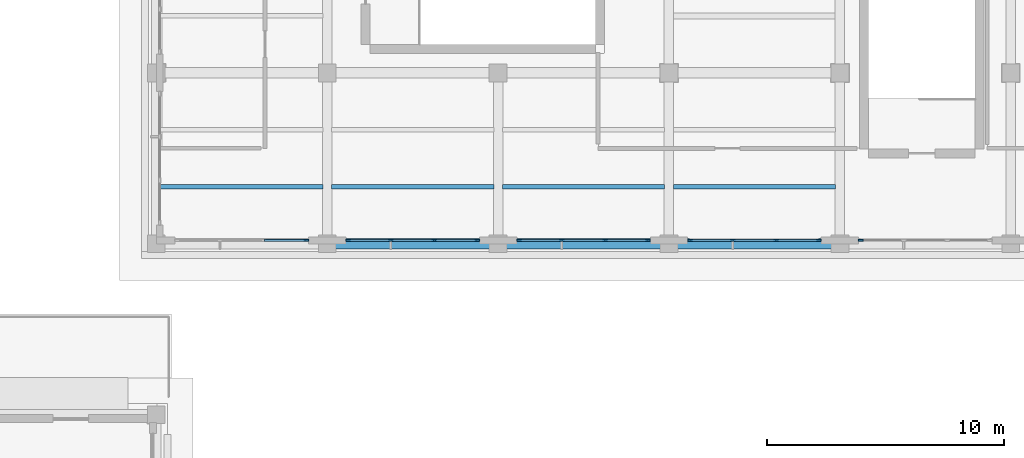
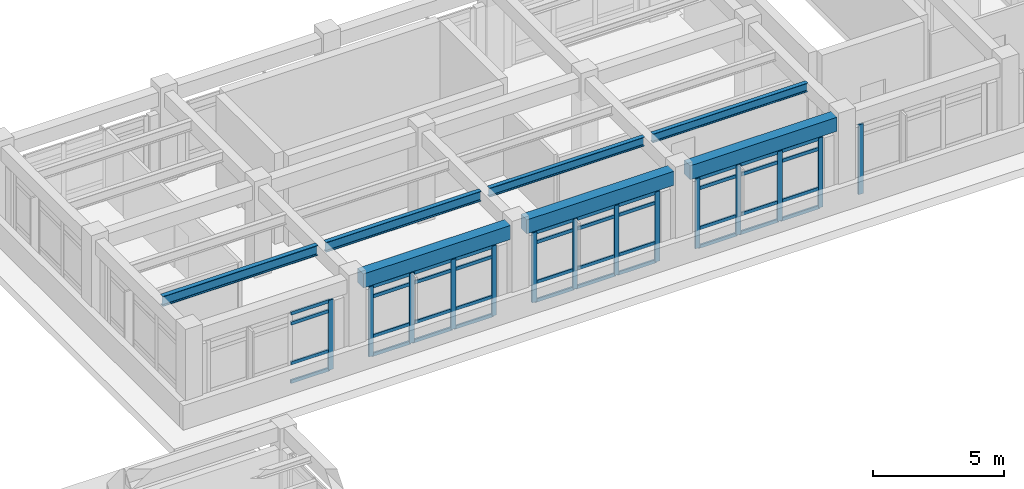
# One storey, part 14 of 64: 54 members, 7 beams, 5 elements without a shape of their own.
"""IFC4 building model written with IfcOpenShell, lengths in metres."""

from ifc_helpers import new_model, si_unit, direction, frame, origin, origin_2d, place, context, subcontext, project, spatial, rectangle, i_section, extrude, material, layer, layer_set, material_profile, profile_set, type_object, element, aggregate, save


model = new_model("IFC4")

# Units and contexts
model_context = context("Model", 3, precision=1e-05, world=origin(), true_north=direction((0.0, 1.0)))
body_context = subcontext(model_context, "Body", "Model", "MODEL_VIEW")
ifc_project = project(units=[si_unit("LENGTHUNIT", "METRE"), si_unit("AREAUNIT", "SQUARE_METRE"), si_unit("VOLUMEUNIT", "CUBIC_METRE"), si_unit("PLANEANGLEUNIT", "RADIAN"), si_unit("MASSUNIT", "GRAM", prefix="KILO")], contexts=[model_context])

# Site, building, storey
site_placement = place(None, origin())
site = spatial("IfcSite", under=ifc_project, at=site_placement, CompositionType="ELEMENT")
building_placement = place(site_placement, origin())
building = spatial("IfcBuilding", under=site, at=building_placement, Name="Solenvale Faculty of Natural Sciences", CompositionType="ELEMENT")
storey_placement = place(building_placement, frame((0.0, 0.0, 18.0)))
storey = spatial("IfcBuildingStorey", under=building, at=storey_placement, Name="L04", CompositionType="ELEMENT", Elevation=18.0)

# Beams
ifc_material_1 = material(Name="Concrete 40 MPa", Category="concrete")
ifc_material_profile_1 = material_profile(ifc_material_1, rectangle(XDim=0.449951171875, YDim=0.64990234375, at=origin_2d()), Name="RC-BM-450x650")
ifc_profile_set_1 = profile_set([ifc_material_profile_1], Name="Concrete 40 MPa")
beam_type_1 = type_object("IfcBeamType", Name="BM-RC-450x650", PredefinedType="BEAM", material=ifc_profile_set_1)
beam_1_placement = place(storey_placement, frame((122.7548828125, 43.199951171875, 3.89501953125), z_axis=(1.0, 0.0, 0.0), x_axis=(0.0, 1.0, 0.0)))
element("IfcBeam", 1, at=beam_1_placement, inside=storey, type_object=beam_type_1, Name="L04 X-Girder Y43.2 (122.4..129.6)", PredefinedType="BEAM", context=body_context, shape_type="SweptSolid", body=[
    extrude(rectangle(XDim=0.449951171875, YDim=0.64990234375, at=origin_2d()), origin(), (0.0, 0.0, 1.0), 6.490234375),
])
for number, where, z_axis, x_axis, name in (
    (2, (129.955078125, 43.199951171875, 3.89501953125), (1.0, 0.0, 0.0), (0.0, 1.0, 0.0), "L04 X-Girder Y43.2 (129.6..136.8)"),
    (3, (137.155029296875, 43.199951171875, 3.89501953125), (1.0, 0.0, 0.0), (0.0, 1.0, 0.0), "L04 X-Girder Y43.2 (136.8..144.0)"),
):
    element("IfcBeam", number, at=place(storey_placement, frame(where, z_axis=z_axis, x_axis=x_axis)), inside=storey, type_object=beam_type_1, Name=name, PredefinedType="BEAM", context=body_context, shape_type="SweptSolid", body=[
        extrude(rectangle(XDim=0.449951171875, YDim=0.64990234375, at=origin_2d()), origin(), (0.0, 0.0, 1.0), 6.489990234375),
    ])
ifc_material_2 = material(Name="Steel S355", Category="steel")
ifc_material_profile_2 = material_profile(ifc_material_2, i_section(OverallWidth=0.178955078125, OverallDepth=0.409912109375, WebThickness=0.0087890625, FlangeThickness=0.014404296875, FilletRadius=0.01611328125, at=origin_2d()), Name="W410x67")
ifc_profile_set_2 = profile_set([ifc_material_profile_2], Name="Steel S355")
beam_type_2 = type_object("IfcBeamType", Name="BM-STL-W410x67", PredefinedType="JOIST", material=ifc_profile_set_2)
beam_2_placement = place(storey_placement, frame((136.97998046875, 45.60009765625, 4.014892578125), z_axis=(1.0, 0.0, 0.0), x_axis=(0.0, 1.0, 0.0)))
element("IfcBeam", 4, at=beam_2_placement, inside=storey, type_object=beam_type_2, Name="L04 Composite Floor Joist (20,7).1", PredefinedType="JOIST", context=body_context, shape_type="SweptSolid", body=[
    extrude(i_section(OverallWidth=0.178955078125, OverallDepth=0.409912109375, WebThickness=0.0087890625, FlangeThickness=0.014404296875, FilletRadius=0.01611328125, at=origin_2d()), origin(), (0.0, 0.0, 1.0), 6.840087890625),
])
ifc_material_profile_3 = material_profile(ifc_material_2, i_section(OverallWidth=0.180908203125, OverallDepth=0.4169921875, WebThickness=0.010986328125, FlangeThickness=0.018310546875, FilletRadius=0.01611328125, at=origin_2d()), Name="W410x85")
ifc_profile_set_3 = profile_set([ifc_material_profile_3], Name="Steel S355")
beam_type_3 = type_object("IfcBeamType", Name="BM-STL-W410x85", PredefinedType="JOIST", material=ifc_profile_set_3)
beam_3_placement = place(storey_placement, frame((129.780029296875, 45.60009765625, 4.011474609375), z_axis=(1.0, 0.0, 0.0), x_axis=(0.0, 1.0, 0.0)))
element("IfcBeam", 5, at=beam_3_placement, inside=storey, type_object=beam_type_3, Name="L04 Composite Floor Joist (19,7).1", PredefinedType="JOIST", context=body_context, shape_type="SweptSolid", body=[
    extrude(i_section(OverallWidth=0.180908203125, OverallDepth=0.4169921875, WebThickness=0.010986328125, FlangeThickness=0.018310546875, FilletRadius=0.01611328125, at=origin_2d()), origin(), (0.0, 0.0, 1.0), 6.840087890625),
])
ifc_material_profile_4 = material_profile(ifc_material_2, i_section(OverallWidth=0.194091796875, OverallDepth=0.468994140625, WebThickness=0.0126953125, FlangeThickness=0.0205078125, FilletRadius=0.01806640625, at=origin_2d()), Name="W460x106")
ifc_profile_set_4 = profile_set([ifc_material_profile_4], Name="Steel S355")
beam_type_4 = type_object("IfcBeamType", Name="BM-STL-W460x106", PredefinedType="JOIST", material=ifc_profile_set_4)
beam_4_placement = place(storey_placement, frame((115.3798828125, 45.60009765625, 3.985595703125), z_axis=(1.0, 0.0, 0.0), x_axis=(0.0, 1.0, 0.0)))
element("IfcBeam", 6, at=beam_4_placement, inside=storey, type_object=beam_type_4, Name="L04 Composite Floor Joist (17,7).1", PredefinedType="JOIST", context=body_context, shape_type="SweptSolid", body=[
    extrude(i_section(OverallWidth=0.194091796875, OverallDepth=0.468994140625, WebThickness=0.0126953125, FlangeThickness=0.0205078125, FilletRadius=0.01806640625, at=origin_2d()), origin(), (0.0, 0.0, 1.0), 6.840087890625),
])
ifc_material_profile_5 = material_profile(ifc_material_2, i_section(OverallWidth=0.19091796875, OverallDepth=0.4599609375, WebThickness=0.010009765625, FlangeThickness=0.01611328125, FilletRadius=0.01806640625, at=origin_2d()), Name="W460x82")
ifc_profile_set_5 = profile_set([ifc_material_profile_5], Name="Steel S355")
beam_type_5 = type_object("IfcBeamType", Name="BM-STL-W460x82", PredefinedType="JOIST", material=ifc_profile_set_5)
beam_5_placement = place(storey_placement, frame((122.580078125, 45.60009765625, 3.989990234375), z_axis=(1.0, 0.0, 0.0), x_axis=(0.0, 1.0, 0.0)))
element("IfcBeam", 7, at=beam_5_placement, inside=storey, type_object=beam_type_5, Name="L04 Composite Floor Joist (18,7).1", PredefinedType="JOIST", context=body_context, shape_type="SweptSolid", body=[
    extrude(i_section(OverallWidth=0.19091796875, OverallDepth=0.4599609375, WebThickness=0.010009765625, FlangeThickness=0.01611328125, FilletRadius=0.01806640625, at=origin_2d()), origin(), (0.0, 0.0, 1.0), 6.83984375),
])

# Curtain wall, member
ifc_material_3 = material(Name="Anodised bronze aluminium", Category="aluminium")
ifc_layer = layer(ifc_material_3, 0.199951171875)
ifc_layer_set = layer_set([ifc_layer], Name="Anodised bronze aluminium")
curtain_wall_type = type_object("IfcCurtainWallType", Name="CW-COM-FIN", PredefinedType="USERDEFINED", material=ifc_layer_set)
curtain_wall_1_placement = place(storey_placement, origin())
curtain_wall_1 = element("IfcCurtainWall", 8, at=curtain_wall_1_placement, inside=storey, type_object=curtain_wall_type, Name="L04 Curtain Wall CW-L04-P2-E1-B1", ObjectType="UNITISED CURTAIN WALL", PredefinedType="USERDEFINED")
ifc_material_profile_6 = material_profile(ifc_material_3, rectangle(XDim=0.074951171875, YDim=0.2099609375, at=origin_2d()), Name="ALU-MUL-75x210")
ifc_profile_set_6 = profile_set([ifc_material_profile_6], Name="Anodised bronze aluminium")
member_type_1 = type_object("IfcMemberType", Name="CWM-ALU-75x210", PredefinedType="MULLION", material=ifc_profile_set_6)
member_1_placement = place(storey_placement, frame((121.512451171875, 43.342529296875, 0.0), z_axis=(0.0, 0.0, 1.0), x_axis=(0.0, 1.0, 0.0)))
member_1 = element("IfcMember", 9, at=member_1_placement, type_object=member_type_1, Name="CW-03 mullion 4", PredefinedType="MULLION", context=body_context, shape_type="SweptSolid", body=[
    extrude(rectangle(XDim=0.074951171875, YDim=0.2099609375, at=origin_2d()), origin(), (0.0, 0.0, 1.0), 3.260009765625),
])

# Curtain wall, members
curtain_wall_2_placement = place(storey_placement, origin())
curtain_wall_2 = element("IfcCurtainWall", 10, at=curtain_wall_2_placement, inside=storey, type_object=curtain_wall_type, Name="L04 Curtain Wall CW-L04-P2-E1-B2", ObjectType="UNITISED CURTAIN WALL", PredefinedType="USERDEFINED")
member_2_placement = place(storey_placement, frame((123.28759765625, 43.342529296875, 0.0), z_axis=(0.0, 0.0, 1.0), x_axis=(0.0, 1.0, 0.0)))
member_2 = element("IfcMember", 11, at=member_2_placement, type_object=member_type_1, Name="CW-03 mullion 1", PredefinedType="MULLION", context=body_context, shape_type="SweptSolid", body=[
    extrude(rectangle(XDim=0.074951171875, YDim=0.2099609375, at=origin_2d()), origin(), (0.0, 0.0, 1.0), 3.260009765625),
])
member_3_placement = place(storey_placement, frame((125.083251953125, 43.342529296875, 0.0), z_axis=(0.0, 0.0, 1.0), x_axis=(0.0, 1.0, 0.0)))
member_3 = element("IfcMember", 12, at=member_3_placement, type_object=member_type_1, Name="CW-03 mullion 2", PredefinedType="MULLION", context=body_context, shape_type="SweptSolid", body=[
    extrude(rectangle(XDim=0.074951171875, YDim=0.2099609375, at=origin_2d()), origin(), (0.0, 0.0, 1.0), 3.260009765625),
])
member_4_placement = place(storey_placement, frame((126.916748046875, 43.342529296875, 0.0), z_axis=(0.0, 0.0, 1.0), x_axis=(0.0, 1.0, 0.0)))
member_4 = element("IfcMember", 13, at=member_4_placement, type_object=member_type_1, Name="CW-03 mullion 3", PredefinedType="MULLION", context=body_context, shape_type="SweptSolid", body=[
    extrude(rectangle(XDim=0.074951171875, YDim=0.2099609375, at=origin_2d()), origin(), (0.0, 0.0, 1.0), 3.260009765625),
])
member_5_placement = place(storey_placement, frame((128.71240234375, 43.342529296875, 0.0), z_axis=(0.0, 0.0, 1.0), x_axis=(0.0, 1.0, 0.0)))
member_5 = element("IfcMember", 14, at=member_5_placement, type_object=member_type_1, Name="CW-03 mullion 4", PredefinedType="MULLION", context=body_context, shape_type="SweptSolid", body=[
    extrude(rectangle(XDim=0.074951171875, YDim=0.2099609375, at=origin_2d()), origin(), (0.0, 0.0, 1.0), 3.260009765625),
])

curtain_wall_3_placement = place(storey_placement, origin())
curtain_wall_3 = element("IfcCurtainWall", 15, at=curtain_wall_3_placement, inside=storey, type_object=curtain_wall_type, Name="L04 Curtain Wall CW-L04-P2-E1-B3", ObjectType="UNITISED CURTAIN WALL", PredefinedType="USERDEFINED")
member_6_placement = place(storey_placement, frame((130.487548828125, 43.342529296875, 0.0), z_axis=(0.0, 0.0, 1.0), x_axis=(0.0, 1.0, 0.0)))
member_6 = element("IfcMember", 16, at=member_6_placement, type_object=member_type_1, Name="CW-03 mullion 1", PredefinedType="MULLION", context=body_context, shape_type="SweptSolid", body=[
    extrude(rectangle(XDim=0.074951171875, YDim=0.2099609375, at=origin_2d()), origin(), (0.0, 0.0, 1.0), 3.260009765625),
])
member_7_placement = place(storey_placement, frame((132.283447265625, 43.342529296875, 0.0), z_axis=(0.0, 0.0, 1.0), x_axis=(0.0, 1.0, 0.0)))
member_7 = element("IfcMember", 17, at=member_7_placement, type_object=member_type_1, Name="CW-03 mullion 2", PredefinedType="MULLION", context=body_context, shape_type="SweptSolid", body=[
    extrude(rectangle(XDim=0.074951171875, YDim=0.2099609375, at=origin_2d()), origin(), (0.0, 0.0, 1.0), 3.260009765625),
])
member_8_placement = place(storey_placement, frame((134.11669921875, 43.342529296875, 0.0), z_axis=(0.0, 0.0, 1.0), x_axis=(0.0, 1.0, 0.0)))
member_8 = element("IfcMember", 18, at=member_8_placement, type_object=member_type_1, Name="CW-03 mullion 3", PredefinedType="MULLION", context=body_context, shape_type="SweptSolid", body=[
    extrude(rectangle(XDim=0.074951171875, YDim=0.2099609375, at=origin_2d()), origin(), (0.0, 0.0, 1.0), 3.260009765625),
])
member_9_placement = place(storey_placement, frame((135.91259765625, 43.342529296875, 0.0), z_axis=(0.0, 0.0, 1.0), x_axis=(0.0, 1.0, 0.0)))
member_9 = element("IfcMember", 19, at=member_9_placement, type_object=member_type_1, Name="CW-03 mullion 4", PredefinedType="MULLION", context=body_context, shape_type="SweptSolid", body=[
    extrude(rectangle(XDim=0.074951171875, YDim=0.2099609375, at=origin_2d()), origin(), (0.0, 0.0, 1.0), 3.260009765625),
])

curtain_wall_4_placement = place(storey_placement, origin())
curtain_wall_4 = element("IfcCurtainWall", 20, at=curtain_wall_4_placement, inside=storey, type_object=curtain_wall_type, Name="L04 Curtain Wall CW-L04-P2-E1-B4", ObjectType="UNITISED CURTAIN WALL", PredefinedType="USERDEFINED")
member_10_placement = place(storey_placement, frame((137.6875, 43.342529296875, 0.0), z_axis=(0.0, 0.0, 1.0), x_axis=(0.0, 1.0, 0.0)))
member_10 = element("IfcMember", 21, at=member_10_placement, type_object=member_type_1, Name="CW-03 mullion 1", PredefinedType="MULLION", context=body_context, shape_type="SweptSolid", body=[
    extrude(rectangle(XDim=0.074951171875, YDim=0.2099609375, at=origin_2d()), origin(), (0.0, 0.0, 1.0), 3.260009765625),
])
member_11_placement = place(storey_placement, frame((139.4833984375, 43.342529296875, 0.0), z_axis=(0.0, 0.0, 1.0), x_axis=(0.0, 1.0, 0.0)))
member_11 = element("IfcMember", 22, at=member_11_placement, type_object=member_type_1, Name="CW-03 mullion 2", PredefinedType="MULLION", context=body_context, shape_type="SweptSolid", body=[
    extrude(rectangle(XDim=0.074951171875, YDim=0.2099609375, at=origin_2d()), origin(), (0.0, 0.0, 1.0), 3.260009765625),
])
member_12_placement = place(storey_placement, frame((141.316650390625, 43.342529296875, 0.0), z_axis=(0.0, 0.0, 1.0), x_axis=(0.0, 1.0, 0.0)))
member_12 = element("IfcMember", 23, at=member_12_placement, type_object=member_type_1, Name="CW-03 mullion 3", PredefinedType="MULLION", context=body_context, shape_type="SweptSolid", body=[
    extrude(rectangle(XDim=0.074951171875, YDim=0.2099609375, at=origin_2d()), origin(), (0.0, 0.0, 1.0), 3.260009765625),
])
member_13_placement = place(storey_placement, frame((143.112548828125, 43.342529296875, 0.0), z_axis=(0.0, 0.0, 1.0), x_axis=(0.0, 1.0, 0.0)))
member_13 = element("IfcMember", 24, at=member_13_placement, type_object=member_type_1, Name="CW-03 mullion 4", PredefinedType="MULLION", context=body_context, shape_type="SweptSolid", body=[
    extrude(rectangle(XDim=0.074951171875, YDim=0.2099609375, at=origin_2d()), origin(), (0.0, 0.0, 1.0), 3.260009765625),
])

# Curtain wall, member
curtain_wall_5_placement = place(storey_placement, origin())
curtain_wall_5 = element("IfcCurtainWall", 25, at=curtain_wall_5_placement, inside=storey, type_object=curtain_wall_type, Name="L04 Curtain Wall CW-L04-P2-E1-B5", ObjectType="UNITISED CURTAIN WALL", PredefinedType="USERDEFINED")
member_14_placement = place(storey_placement, frame((144.887451171875, 43.342529296875, 0.0), z_axis=(0.0, 0.0, 1.0), x_axis=(0.0, 1.0, 0.0)))
member_14 = element("IfcMember", 26, at=member_14_placement, type_object=member_type_1, Name="CW-03 mullion 1", PredefinedType="MULLION", context=body_context, shape_type="SweptSolid", body=[
    extrude(rectangle(XDim=0.074951171875, YDim=0.2099609375, at=origin_2d()), origin(), (0.0, 0.0, 1.0), 3.260009765625),
])
aggregate(curtain_wall_5, [member_14])

# Member
ifc_material_profile_7 = material_profile(ifc_material_3, rectangle(XDim=0.074951171875, YDim=0.155029296875, at=origin_2d()), Name="ALU-TRN-75x155")
ifc_profile_set_7 = profile_set([ifc_material_profile_7], Name="Anodised bronze aluminium")
member_type_2 = type_object("IfcMemberType", Name="CWT-ALU-75x155", PredefinedType="USERDEFINED", material=ifc_profile_set_7)
member_15_placement = place(storey_placement, frame((119.754150390625, 43.342529296875, 0.03759765625), z_axis=(1.0, 0.0, 0.0), x_axis=(0.0, 1.0, 0.0)))
member_15 = element("IfcMember", 27, at=member_15_placement, type_object=member_type_2, Name="CW-03 transom 3.1", ObjectType="TRANSOM", PredefinedType="USERDEFINED", context=body_context, shape_type="SweptSolid", body=[
    extrude(rectangle(XDim=0.074951171875, YDim=0.155029296875, at=origin_2d()), origin(), (0.0, 0.0, 1.0), 1.720947265625),
])

member_16_placement = place(storey_placement, frame((119.754150390625, 43.342529296875, 0.89990234375), z_axis=(1.0, 0.0, 0.0), x_axis=(0.0, 1.0, 0.0)))
member_16 = element("IfcMember", 28, at=member_16_placement, type_object=member_type_2, Name="CW-03 transom 3.2", ObjectType="TRANSOM", PredefinedType="USERDEFINED", context=body_context, shape_type="SweptSolid", body=[
    extrude(rectangle(XDim=0.074951171875, YDim=0.155029296875, at=origin_2d()), origin(), (0.0, 0.0, 1.0), 1.720947265625),
])

member_17_placement = place(storey_placement, frame((119.754150390625, 43.342529296875, 2.760009765625), z_axis=(1.0, 0.0, 0.0), x_axis=(0.0, 1.0, 0.0)))
member_17 = element("IfcMember", 29, at=member_17_placement, type_object=member_type_2, Name="CW-03 transom 3.3", ObjectType="TRANSOM", PredefinedType="USERDEFINED", context=body_context, shape_type="SweptSolid", body=[
    extrude(rectangle(XDim=0.074951171875, YDim=0.155029296875, at=origin_2d()), origin(), (0.0, 0.0, 1.0), 1.720947265625),
])

member_18_placement = place(storey_placement, frame((119.754150390625, 43.342529296875, 3.222412109375), z_axis=(1.0, 0.0, 0.0), x_axis=(0.0, 1.0, 0.0)))
member_18 = element("IfcMember", 30, at=member_18_placement, type_object=member_type_2, Name="CW-03 transom 3.4", ObjectType="TRANSOM", PredefinedType="USERDEFINED", context=body_context, shape_type="SweptSolid", body=[
    extrude(rectangle(XDim=0.074951171875, YDim=0.155029296875, at=origin_2d()), origin(), (0.0, 0.0, 1.0), 1.720947265625),
])

aggregate(curtain_wall_1, [member_1, member_15, member_16, member_17, member_18])

member_19_placement = place(storey_placement, frame((123.324951171875, 43.342529296875, 0.03759765625), z_axis=(1.0, 0.0, 0.0), x_axis=(0.0, 1.0, 0.0)))
member_19 = element("IfcMember", 31, at=member_19_placement, type_object=member_type_2, Name="CW-03 transom 1.1", ObjectType="TRANSOM", PredefinedType="USERDEFINED", context=body_context, shape_type="SweptSolid", body=[
    extrude(rectangle(XDim=0.074951171875, YDim=0.155029296875, at=origin_2d()), origin(), (0.0, 0.0, 1.0), 1.720947265625),
])

member_20_placement = place(storey_placement, frame((123.324951171875, 43.342529296875, 0.89990234375), z_axis=(1.0, 0.0, 0.0), x_axis=(0.0, 1.0, 0.0)))
member_20 = element("IfcMember", 32, at=member_20_placement, type_object=member_type_2, Name="CW-03 transom 1.2", ObjectType="TRANSOM", PredefinedType="USERDEFINED", context=body_context, shape_type="SweptSolid", body=[
    extrude(rectangle(XDim=0.074951171875, YDim=0.155029296875, at=origin_2d()), origin(), (0.0, 0.0, 1.0), 1.720947265625),
])

member_21_placement = place(storey_placement, frame((123.324951171875, 43.342529296875, 2.760009765625), z_axis=(1.0, 0.0, 0.0), x_axis=(0.0, 1.0, 0.0)))
member_21 = element("IfcMember", 33, at=member_21_placement, type_object=member_type_2, Name="CW-03 transom 1.3", ObjectType="TRANSOM", PredefinedType="USERDEFINED", context=body_context, shape_type="SweptSolid", body=[
    extrude(rectangle(XDim=0.074951171875, YDim=0.155029296875, at=origin_2d()), origin(), (0.0, 0.0, 1.0), 1.720947265625),
])

member_22_placement = place(storey_placement, frame((123.324951171875, 43.342529296875, 3.222412109375), z_axis=(1.0, 0.0, 0.0), x_axis=(0.0, 1.0, 0.0)))
member_22 = element("IfcMember", 34, at=member_22_placement, type_object=member_type_2, Name="CW-03 transom 1.4", ObjectType="TRANSOM", PredefinedType="USERDEFINED", context=body_context, shape_type="SweptSolid", body=[
    extrude(rectangle(XDim=0.074951171875, YDim=0.155029296875, at=origin_2d()), origin(), (0.0, 0.0, 1.0), 1.720947265625),
])

member_23_placement = place(storey_placement, frame((125.120849609375, 43.342529296875, 0.03759765625), z_axis=(1.0, 0.0, 0.0), x_axis=(0.0, 1.0, 0.0)))
member_23 = element("IfcMember", 35, at=member_23_placement, type_object=member_type_2, Name="CW-03 transom 2.1", ObjectType="TRANSOM", PredefinedType="USERDEFINED", context=body_context, shape_type="SweptSolid", body=[
    extrude(rectangle(XDim=0.074951171875, YDim=0.155029296875, at=origin_2d()), origin(), (0.0, 0.0, 1.0), 1.75830078125),
])

member_24_placement = place(storey_placement, frame((125.120849609375, 43.342529296875, 0.89990234375), z_axis=(1.0, 0.0, 0.0), x_axis=(0.0, 1.0, 0.0)))
member_24 = element("IfcMember", 36, at=member_24_placement, type_object=member_type_2, Name="CW-03 transom 2.2", ObjectType="TRANSOM", PredefinedType="USERDEFINED", context=body_context, shape_type="SweptSolid", body=[
    extrude(rectangle(XDim=0.074951171875, YDim=0.155029296875, at=origin_2d()), origin(), (0.0, 0.0, 1.0), 1.75830078125),
])

member_25_placement = place(storey_placement, frame((125.120849609375, 43.342529296875, 2.760009765625), z_axis=(1.0, 0.0, 0.0), x_axis=(0.0, 1.0, 0.0)))
member_25 = element("IfcMember", 37, at=member_25_placement, type_object=member_type_2, Name="CW-03 transom 2.3", ObjectType="TRANSOM", PredefinedType="USERDEFINED", context=body_context, shape_type="SweptSolid", body=[
    extrude(rectangle(XDim=0.074951171875, YDim=0.155029296875, at=origin_2d()), origin(), (0.0, 0.0, 1.0), 1.75830078125),
])

member_26_placement = place(storey_placement, frame((125.120849609375, 43.342529296875, 3.222412109375), z_axis=(1.0, 0.0, 0.0), x_axis=(0.0, 1.0, 0.0)))
member_26 = element("IfcMember", 38, at=member_26_placement, type_object=member_type_2, Name="CW-03 transom 2.4", ObjectType="TRANSOM", PredefinedType="USERDEFINED", context=body_context, shape_type="SweptSolid", body=[
    extrude(rectangle(XDim=0.074951171875, YDim=0.155029296875, at=origin_2d()), origin(), (0.0, 0.0, 1.0), 1.75830078125),
])

member_27_placement = place(storey_placement, frame((126.9541015625, 43.342529296875, 0.03759765625), z_axis=(1.0, 0.0, 0.0), x_axis=(0.0, 1.0, 0.0)))
member_27 = element("IfcMember", 39, at=member_27_placement, type_object=member_type_2, Name="CW-03 transom 3.1", ObjectType="TRANSOM", PredefinedType="USERDEFINED", context=body_context, shape_type="SweptSolid", body=[
    extrude(rectangle(XDim=0.074951171875, YDim=0.155029296875, at=origin_2d()), origin(), (0.0, 0.0, 1.0), 1.720947265625),
])

member_28_placement = place(storey_placement, frame((126.9541015625, 43.342529296875, 0.89990234375), z_axis=(1.0, 0.0, 0.0), x_axis=(0.0, 1.0, 0.0)))
member_28 = element("IfcMember", 40, at=member_28_placement, type_object=member_type_2, Name="CW-03 transom 3.2", ObjectType="TRANSOM", PredefinedType="USERDEFINED", context=body_context, shape_type="SweptSolid", body=[
    extrude(rectangle(XDim=0.074951171875, YDim=0.155029296875, at=origin_2d()), origin(), (0.0, 0.0, 1.0), 1.720947265625),
])

member_29_placement = place(storey_placement, frame((126.9541015625, 43.342529296875, 2.760009765625), z_axis=(1.0, 0.0, 0.0), x_axis=(0.0, 1.0, 0.0)))
member_29 = element("IfcMember", 41, at=member_29_placement, type_object=member_type_2, Name="CW-03 transom 3.3", ObjectType="TRANSOM", PredefinedType="USERDEFINED", context=body_context, shape_type="SweptSolid", body=[
    extrude(rectangle(XDim=0.074951171875, YDim=0.155029296875, at=origin_2d()), origin(), (0.0, 0.0, 1.0), 1.720947265625),
])

member_30_placement = place(storey_placement, frame((126.9541015625, 43.342529296875, 3.222412109375), z_axis=(1.0, 0.0, 0.0), x_axis=(0.0, 1.0, 0.0)))
member_30 = element("IfcMember", 42, at=member_30_placement, type_object=member_type_2, Name="CW-03 transom 3.4", ObjectType="TRANSOM", PredefinedType="USERDEFINED", context=body_context, shape_type="SweptSolid", body=[
    extrude(rectangle(XDim=0.074951171875, YDim=0.155029296875, at=origin_2d()), origin(), (0.0, 0.0, 1.0), 1.720947265625),
])

aggregate(curtain_wall_2, [member_2, member_3, member_4, member_5, member_19, member_20, member_21, member_22, member_23, member_24, member_25, member_26, member_27, member_28, member_29, member_30])

member_31_placement = place(storey_placement, frame((130.52490234375, 43.342529296875, 0.03759765625), z_axis=(1.0, 0.0, 0.0), x_axis=(0.0, 1.0, 0.0)))
member_31 = element("IfcMember", 43, at=member_31_placement, type_object=member_type_2, Name="CW-03 transom 1.1", ObjectType="TRANSOM", PredefinedType="USERDEFINED", context=body_context, shape_type="SweptSolid", body=[
    extrude(rectangle(XDim=0.074951171875, YDim=0.155029296875, at=origin_2d()), origin(), (0.0, 0.0, 1.0), 1.720947265625),
])

member_32_placement = place(storey_placement, frame((130.52490234375, 43.342529296875, 0.89990234375), z_axis=(1.0, 0.0, 0.0), x_axis=(0.0, 1.0, 0.0)))
member_32 = element("IfcMember", 44, at=member_32_placement, type_object=member_type_2, Name="CW-03 transom 1.2", ObjectType="TRANSOM", PredefinedType="USERDEFINED", context=body_context, shape_type="SweptSolid", body=[
    extrude(rectangle(XDim=0.074951171875, YDim=0.155029296875, at=origin_2d()), origin(), (0.0, 0.0, 1.0), 1.720947265625),
])

member_33_placement = place(storey_placement, frame((130.52490234375, 43.342529296875, 2.760009765625), z_axis=(1.0, 0.0, 0.0), x_axis=(0.0, 1.0, 0.0)))
member_33 = element("IfcMember", 45, at=member_33_placement, type_object=member_type_2, Name="CW-03 transom 1.3", ObjectType="TRANSOM", PredefinedType="USERDEFINED", context=body_context, shape_type="SweptSolid", body=[
    extrude(rectangle(XDim=0.074951171875, YDim=0.155029296875, at=origin_2d()), origin(), (0.0, 0.0, 1.0), 1.720947265625),
])

member_34_placement = place(storey_placement, frame((130.52490234375, 43.342529296875, 3.222412109375), z_axis=(1.0, 0.0, 0.0), x_axis=(0.0, 1.0, 0.0)))
member_34 = element("IfcMember", 46, at=member_34_placement, type_object=member_type_2, Name="CW-03 transom 1.4", ObjectType="TRANSOM", PredefinedType="USERDEFINED", context=body_context, shape_type="SweptSolid", body=[
    extrude(rectangle(XDim=0.074951171875, YDim=0.155029296875, at=origin_2d()), origin(), (0.0, 0.0, 1.0), 1.720947265625),
])

member_35_placement = place(storey_placement, frame((132.32080078125, 43.342529296875, 0.03759765625), z_axis=(1.0, 0.0, 0.0), x_axis=(0.0, 1.0, 0.0)))
member_35 = element("IfcMember", 47, at=member_35_placement, type_object=member_type_2, Name="CW-03 transom 2.1", ObjectType="TRANSOM", PredefinedType="USERDEFINED", context=body_context, shape_type="SweptSolid", body=[
    extrude(rectangle(XDim=0.074951171875, YDim=0.155029296875, at=origin_2d()), origin(), (0.0, 0.0, 1.0), 1.75830078125),
])

member_36_placement = place(storey_placement, frame((132.32080078125, 43.342529296875, 0.89990234375), z_axis=(1.0, 0.0, 0.0), x_axis=(0.0, 1.0, 0.0)))
member_36 = element("IfcMember", 48, at=member_36_placement, type_object=member_type_2, Name="CW-03 transom 2.2", ObjectType="TRANSOM", PredefinedType="USERDEFINED", context=body_context, shape_type="SweptSolid", body=[
    extrude(rectangle(XDim=0.074951171875, YDim=0.155029296875, at=origin_2d()), origin(), (0.0, 0.0, 1.0), 1.75830078125),
])

member_37_placement = place(storey_placement, frame((132.32080078125, 43.342529296875, 2.760009765625), z_axis=(1.0, 0.0, 0.0), x_axis=(0.0, 1.0, 0.0)))
member_37 = element("IfcMember", 49, at=member_37_placement, type_object=member_type_2, Name="CW-03 transom 2.3", ObjectType="TRANSOM", PredefinedType="USERDEFINED", context=body_context, shape_type="SweptSolid", body=[
    extrude(rectangle(XDim=0.074951171875, YDim=0.155029296875, at=origin_2d()), origin(), (0.0, 0.0, 1.0), 1.75830078125),
])

member_38_placement = place(storey_placement, frame((132.32080078125, 43.342529296875, 3.222412109375), z_axis=(1.0, 0.0, 0.0), x_axis=(0.0, 1.0, 0.0)))
member_38 = element("IfcMember", 50, at=member_38_placement, type_object=member_type_2, Name="CW-03 transom 2.4", ObjectType="TRANSOM", PredefinedType="USERDEFINED", context=body_context, shape_type="SweptSolid", body=[
    extrude(rectangle(XDim=0.074951171875, YDim=0.155029296875, at=origin_2d()), origin(), (0.0, 0.0, 1.0), 1.75830078125),
])

member_39_placement = place(storey_placement, frame((134.154052734375, 43.342529296875, 0.03759765625), z_axis=(1.0, 0.0, 0.0), x_axis=(0.0, 1.0, 0.0)))
member_39 = element("IfcMember", 51, at=member_39_placement, type_object=member_type_2, Name="CW-03 transom 3.1", ObjectType="TRANSOM", PredefinedType="USERDEFINED", context=body_context, shape_type="SweptSolid", body=[
    extrude(rectangle(XDim=0.074951171875, YDim=0.155029296875, at=origin_2d()), origin(), (0.0, 0.0, 1.0), 1.720947265625),
])

member_40_placement = place(storey_placement, frame((134.154052734375, 43.342529296875, 0.89990234375), z_axis=(1.0, 0.0, 0.0), x_axis=(0.0, 1.0, 0.0)))
member_40 = element("IfcMember", 52, at=member_40_placement, type_object=member_type_2, Name="CW-03 transom 3.2", ObjectType="TRANSOM", PredefinedType="USERDEFINED", context=body_context, shape_type="SweptSolid", body=[
    extrude(rectangle(XDim=0.074951171875, YDim=0.155029296875, at=origin_2d()), origin(), (0.0, 0.0, 1.0), 1.720947265625),
])

member_41_placement = place(storey_placement, frame((134.154052734375, 43.342529296875, 2.760009765625), z_axis=(1.0, 0.0, 0.0), x_axis=(0.0, 1.0, 0.0)))
member_41 = element("IfcMember", 53, at=member_41_placement, type_object=member_type_2, Name="CW-03 transom 3.3", ObjectType="TRANSOM", PredefinedType="USERDEFINED", context=body_context, shape_type="SweptSolid", body=[
    extrude(rectangle(XDim=0.074951171875, YDim=0.155029296875, at=origin_2d()), origin(), (0.0, 0.0, 1.0), 1.720947265625),
])

member_42_placement = place(storey_placement, frame((134.154052734375, 43.342529296875, 3.222412109375), z_axis=(1.0, 0.0, 0.0), x_axis=(0.0, 1.0, 0.0)))
member_42 = element("IfcMember", 54, at=member_42_placement, type_object=member_type_2, Name="CW-03 transom 3.4", ObjectType="TRANSOM", PredefinedType="USERDEFINED", context=body_context, shape_type="SweptSolid", body=[
    extrude(rectangle(XDim=0.074951171875, YDim=0.155029296875, at=origin_2d()), origin(), (0.0, 0.0, 1.0), 1.720947265625),
])

aggregate(curtain_wall_3, [member_6, member_7, member_8, member_9, member_31, member_32, member_33, member_34, member_35, member_36, member_37, member_38, member_39, member_40, member_41, member_42])

member_43_placement = place(storey_placement, frame((137.72509765625, 43.342529296875, 0.03759765625), z_axis=(1.0, 0.0, 0.0), x_axis=(0.0, 1.0, 0.0)))
member_43 = element("IfcMember", 55, at=member_43_placement, type_object=member_type_2, Name="CW-03 transom 1.1", ObjectType="TRANSOM", PredefinedType="USERDEFINED", context=body_context, shape_type="SweptSolid", body=[
    extrude(rectangle(XDim=0.074951171875, YDim=0.155029296875, at=origin_2d()), origin(), (0.0, 0.0, 1.0), 1.720703125),
])

member_44_placement = place(storey_placement, frame((137.72509765625, 43.342529296875, 0.89990234375), z_axis=(1.0, 0.0, 0.0), x_axis=(0.0, 1.0, 0.0)))
member_44 = element("IfcMember", 56, at=member_44_placement, type_object=member_type_2, Name="CW-03 transom 1.2", ObjectType="TRANSOM", PredefinedType="USERDEFINED", context=body_context, shape_type="SweptSolid", body=[
    extrude(rectangle(XDim=0.074951171875, YDim=0.155029296875, at=origin_2d()), origin(), (0.0, 0.0, 1.0), 1.720703125),
])

member_45_placement = place(storey_placement, frame((137.72509765625, 43.342529296875, 2.760009765625), z_axis=(1.0, 0.0, 0.0), x_axis=(0.0, 1.0, 0.0)))
member_45 = element("IfcMember", 57, at=member_45_placement, type_object=member_type_2, Name="CW-03 transom 1.3", ObjectType="TRANSOM", PredefinedType="USERDEFINED", context=body_context, shape_type="SweptSolid", body=[
    extrude(rectangle(XDim=0.074951171875, YDim=0.155029296875, at=origin_2d()), origin(), (0.0, 0.0, 1.0), 1.720703125),
])

member_46_placement = place(storey_placement, frame((137.72509765625, 43.342529296875, 3.222412109375), z_axis=(1.0, 0.0, 0.0), x_axis=(0.0, 1.0, 0.0)))
member_46 = element("IfcMember", 58, at=member_46_placement, type_object=member_type_2, Name="CW-03 transom 1.4", ObjectType="TRANSOM", PredefinedType="USERDEFINED", context=body_context, shape_type="SweptSolid", body=[
    extrude(rectangle(XDim=0.074951171875, YDim=0.155029296875, at=origin_2d()), origin(), (0.0, 0.0, 1.0), 1.720703125),
])

member_47_placement = place(storey_placement, frame((139.520751953125, 43.342529296875, 0.03759765625), z_axis=(1.0, 0.0, 0.0), x_axis=(0.0, 1.0, 0.0)))
member_47 = element("IfcMember", 59, at=member_47_placement, type_object=member_type_2, Name="CW-03 transom 2.1", ObjectType="TRANSOM", PredefinedType="USERDEFINED", context=body_context, shape_type="SweptSolid", body=[
    extrude(rectangle(XDim=0.074951171875, YDim=0.155029296875, at=origin_2d()), origin(), (0.0, 0.0, 1.0), 1.75830078125),
])

member_48_placement = place(storey_placement, frame((139.520751953125, 43.342529296875, 0.89990234375), z_axis=(1.0, 0.0, 0.0), x_axis=(0.0, 1.0, 0.0)))
member_48 = element("IfcMember", 60, at=member_48_placement, type_object=member_type_2, Name="CW-03 transom 2.2", ObjectType="TRANSOM", PredefinedType="USERDEFINED", context=body_context, shape_type="SweptSolid", body=[
    extrude(rectangle(XDim=0.074951171875, YDim=0.155029296875, at=origin_2d()), origin(), (0.0, 0.0, 1.0), 1.75830078125),
])

member_49_placement = place(storey_placement, frame((139.520751953125, 43.342529296875, 2.760009765625), z_axis=(1.0, 0.0, 0.0), x_axis=(0.0, 1.0, 0.0)))
member_49 = element("IfcMember", 61, at=member_49_placement, type_object=member_type_2, Name="CW-03 transom 2.3", ObjectType="TRANSOM", PredefinedType="USERDEFINED", context=body_context, shape_type="SweptSolid", body=[
    extrude(rectangle(XDim=0.074951171875, YDim=0.155029296875, at=origin_2d()), origin(), (0.0, 0.0, 1.0), 1.75830078125),
])

member_50_placement = place(storey_placement, frame((139.520751953125, 43.342529296875, 3.222412109375), z_axis=(1.0, 0.0, 0.0), x_axis=(0.0, 1.0, 0.0)))
member_50 = element("IfcMember", 62, at=member_50_placement, type_object=member_type_2, Name="CW-03 transom 2.4", ObjectType="TRANSOM", PredefinedType="USERDEFINED", context=body_context, shape_type="SweptSolid", body=[
    extrude(rectangle(XDim=0.074951171875, YDim=0.155029296875, at=origin_2d()), origin(), (0.0, 0.0, 1.0), 1.75830078125),
])

member_51_placement = place(storey_placement, frame((141.354248046875, 43.342529296875, 0.03759765625), z_axis=(1.0, 0.0, 0.0), x_axis=(0.0, 1.0, 0.0)))
member_51 = element("IfcMember", 63, at=member_51_placement, type_object=member_type_2, Name="CW-03 transom 3.1", ObjectType="TRANSOM", PredefinedType="USERDEFINED", context=body_context, shape_type="SweptSolid", body=[
    extrude(rectangle(XDim=0.074951171875, YDim=0.155029296875, at=origin_2d()), origin(), (0.0, 0.0, 1.0), 1.720703125),
])

member_52_placement = place(storey_placement, frame((141.354248046875, 43.342529296875, 0.89990234375), z_axis=(1.0, 0.0, 0.0), x_axis=(0.0, 1.0, 0.0)))
member_52 = element("IfcMember", 64, at=member_52_placement, type_object=member_type_2, Name="CW-03 transom 3.2", ObjectType="TRANSOM", PredefinedType="USERDEFINED", context=body_context, shape_type="SweptSolid", body=[
    extrude(rectangle(XDim=0.074951171875, YDim=0.155029296875, at=origin_2d()), origin(), (0.0, 0.0, 1.0), 1.720703125),
])

member_53_placement = place(storey_placement, frame((141.354248046875, 43.342529296875, 2.760009765625), z_axis=(1.0, 0.0, 0.0), x_axis=(0.0, 1.0, 0.0)))
member_53 = element("IfcMember", 65, at=member_53_placement, type_object=member_type_2, Name="CW-03 transom 3.3", ObjectType="TRANSOM", PredefinedType="USERDEFINED", context=body_context, shape_type="SweptSolid", body=[
    extrude(rectangle(XDim=0.074951171875, YDim=0.155029296875, at=origin_2d()), origin(), (0.0, 0.0, 1.0), 1.720703125),
])

member_54_placement = place(storey_placement, frame((141.354248046875, 43.342529296875, 3.222412109375), z_axis=(1.0, 0.0, 0.0), x_axis=(0.0, 1.0, 0.0)))
member_54 = element("IfcMember", 66, at=member_54_placement, type_object=member_type_2, Name="CW-03 transom 3.4", ObjectType="TRANSOM", PredefinedType="USERDEFINED", context=body_context, shape_type="SweptSolid", body=[
    extrude(rectangle(XDim=0.074951171875, YDim=0.155029296875, at=origin_2d()), origin(), (0.0, 0.0, 1.0), 1.720703125),
])

aggregate(curtain_wall_4, [member_10, member_11, member_12, member_13, member_43, member_44, member_45, member_46, member_47, member_48, member_49, member_50, member_51, member_52, member_53, member_54])

save(model, "model.ifc")
